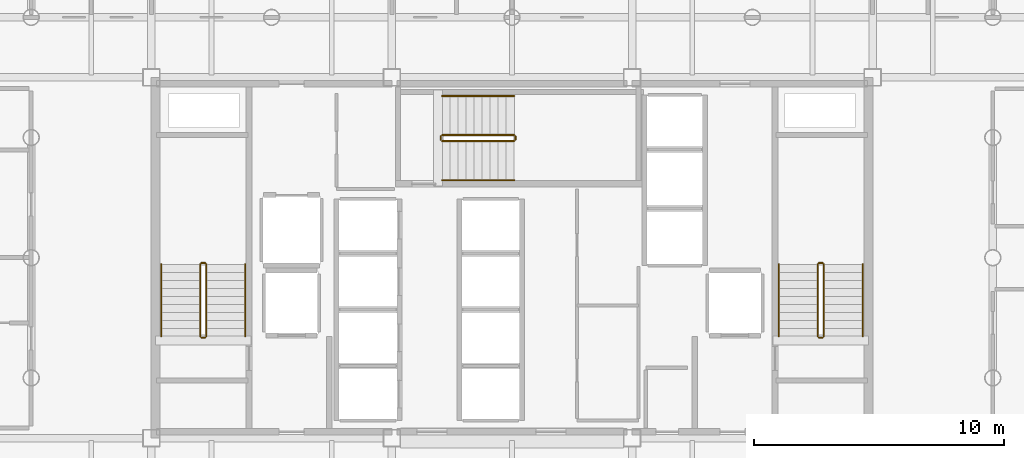
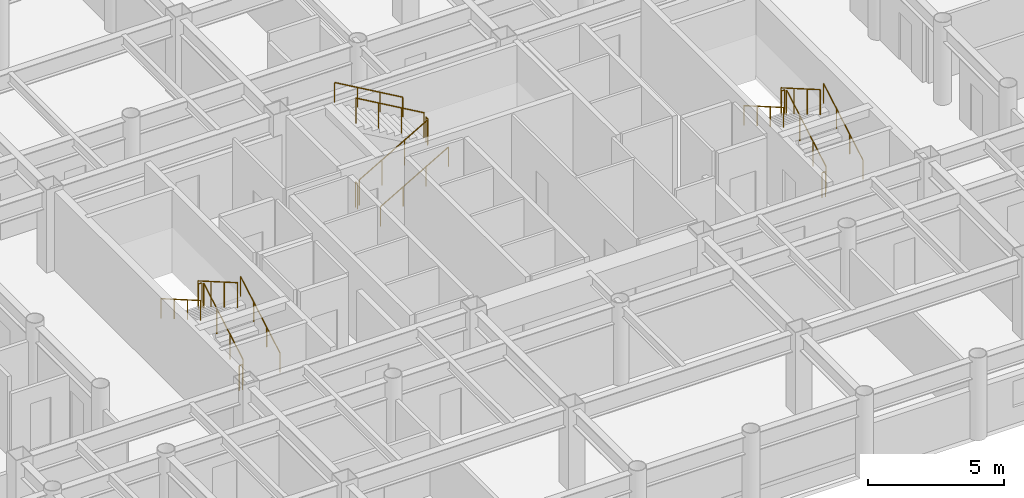
# One storey, part 20 of 20: 18 railings.
"""IFC4 building model written with IfcOpenShell, lengths in metres."""

from ifc_helpers import new_model, si_unit, direction, frame, origin, origin_2d, place, context, subcontext, project, spatial, circle, extrude, material, layer, layer_set, type_object, element, save


model = new_model("IFC4")

# Units and contexts
model_context = context("Model", 3, precision=1e-05, world=origin(), true_north=direction((0.0, 1.0)))
body_context = subcontext(model_context, "Body", "Model", "MODEL_VIEW")
ifc_project = project(units=[si_unit("LENGTHUNIT", "METRE"), si_unit("AREAUNIT", "SQUARE_METRE"), si_unit("VOLUMEUNIT", "CUBIC_METRE"), si_unit("PLANEANGLEUNIT", "RADIAN"), si_unit("MASSUNIT", "GRAM", prefix="KILO")], contexts=[model_context])

# Site, building, storey
site_placement = place(None, origin())
site = spatial("IfcSite", under=ifc_project, at=site_placement, CompositionType="ELEMENT")
building_placement = place(site_placement, origin())
building = spatial("IfcBuilding", under=site, at=building_placement, Name="Kallvorn Hotel Tower", CompositionType="ELEMENT")
storey_placement = place(building_placement, frame((0.0, 0.0, 98.89990234375)))
storey = spatial("IfcBuildingStorey", under=building, at=storey_placement, Name="L23", CompositionType="ELEMENT", Elevation=98.89990234375)

# Railings
ifc_material_1 = material(Name="Brushed stainless-steel tubular railing", Category="steel")
ifc_layer_1 = layer(ifc_material_1, 0.050048828125)
ifc_layer_set_1 = layer_set([ifc_layer_1], Name="RL_STAIR_GUARD")
railing_type_1 = type_object("IfcRailingType", Name="RL_STAIR_GUARD", PredefinedType="GUARDRAIL", material=ifc_layer_set_1)
railing_1_placement = place(storey_placement, frame((-12.2099609375, -3.139892578125, 0.18505859375)))
element("IfcRailing", 1, at=railing_1_placement, inside=storey, type_object=railing_type_1, Name="L23 ST1 stair guard 1", PredefinedType="GUARDRAIL", context=body_context, shape_type="SweptSolid", body=[
    extrude(circle(Radius=0.02392578125, at=origin_2d()), frame((0.0, 0.0, 1.1259765625), z_axis=(0.0, 0.865720918037, 0.500527014328), x_axis=(-1.0, 0.0, 0.0)), (0.0, 0.0, 1.0), 3.32666015625),
    extrude(circle(Radius=0.02099609375, at=origin_2d()), origin(), (0.0, 0.0, 1.0), 1.101806640625),
    extrude(circle(Radius=0.02099609375, at=origin_2d()), frame((0.0, 0.9599609375, 0.554931640625)), (0.0, 0.0, 1.0), 1.101806640625),
    extrude(circle(Radius=0.02099609375, at=origin_2d()), frame((0.0, 1.919921875, 1.110107421875)), (0.0, 0.0, 1.0), 1.101806640625),
    extrude(circle(Radius=0.02099609375, at=origin_2d()), frame((0.0, 2.8798828125, 1.6650390625)), (0.0, 0.0, 1.0), 1.101806640625),
])
railing_2_placement = place(storey_placement, frame((-12.260009765625, -0.2099609375, 1.85009765625)))
element("IfcRailing", 2, at=railing_2_placement, inside=storey, type_object=railing_type_1, Name="L23 ST1 stair guard 2", PredefinedType="GUARDRAIL", context=body_context, shape_type="SweptSolid", body=[
    extrude(circle(Radius=0.02392578125, at=origin_2d()), frame((0.0, 0.0, 1.1259765625), z_axis=(-1.0, 0.0, 0.0), x_axis=(0.0, -1.0, 0.0)), (0.0, 0.0, 1.0), 0.139892578125),
    extrude(circle(Radius=0.02099609375, at=origin_2d()), origin(), (0.0, 0.0, 1.0), 1.101806640625),
    extrude(circle(Radius=0.02099609375, at=origin_2d()), frame((-0.139892578125, 0.0, 0.0)), (0.0, 0.0, 1.0), 1.101806640625),
])
railing_3_placement = place(storey_placement, frame((-12.449951171875, -0.260009765625, 2.03515625)))
element("IfcRailing", 3, at=railing_3_placement, inside=storey, type_object=railing_type_1, Name="L23 ST1 stair guard 3", PredefinedType="GUARDRAIL", context=body_context, shape_type="SweptSolid", body=[
    extrude(circle(Radius=0.02392578125, at=origin_2d()), frame((0.0, 0.0, 1.1259765625), z_axis=(0.0, -0.865720918037, 0.500527014328), x_axis=(1.0, 0.0, 0.0)), (0.0, 0.0, 1.0), 3.32666015625),
    extrude(circle(Radius=0.02099609375, at=origin_2d()), origin(), (0.0, 0.0, 1.0), 1.101806640625),
    extrude(circle(Radius=0.02099609375, at=origin_2d()), frame((0.0, -0.9599609375, 0.554931640625)), (0.0, 0.0, 1.0), 1.101806640625),
    extrude(circle(Radius=0.02099609375, at=origin_2d()), frame((0.0, -1.919921875, 1.110107421875)), (0.0, 0.0, 1.0), 1.101806640625),
    extrude(circle(Radius=0.02099609375, at=origin_2d()), frame((0.0, -2.8798828125, 1.6650390625)), (0.0, 0.0, 1.0), 1.101806640625),
])
railing_4_placement = place(storey_placement, frame((-12.260009765625, -3.18994140625, 0.0)))
element("IfcRailing", 4, at=railing_4_placement, inside=storey, type_object=railing_type_1, Name="L23 ST1 stair guard 4", PredefinedType="GUARDRAIL", context=body_context, shape_type="SweptSolid", body=[
    extrude(circle(Radius=0.02392578125, at=origin_2d()), frame((0.0, 0.0, 1.1259765625), z_axis=(-1.0, 0.0, 0.0), x_axis=(0.0, -1.0, 0.0)), (0.0, 0.0, 1.0), 0.139892578125),
    extrude(circle(Radius=0.02099609375, at=origin_2d()), origin(), (0.0, 0.0, 1.0), 1.101806640625),
    extrude(circle(Radius=0.02099609375, at=origin_2d()), frame((-0.139892578125, 0.0, 0.0)), (0.0, 0.0, 1.0), 1.101806640625),
])
railing_5_placement = place(storey_placement, frame((12.449951171875, -3.139892578125, 0.18505859375)))
element("IfcRailing", 5, at=railing_5_placement, inside=storey, type_object=railing_type_1, Name="L23 ST2 stair guard 1", PredefinedType="GUARDRAIL", context=body_context, shape_type="SweptSolid", body=[
    extrude(circle(Radius=0.02392578125, at=origin_2d()), frame((0.0, 0.0, 1.1259765625), z_axis=(0.0, 0.865720918037, 0.500527014328), x_axis=(-1.0, 0.0, 0.0)), (0.0, 0.0, 1.0), 3.32666015625),
    extrude(circle(Radius=0.02099609375, at=origin_2d()), origin(), (0.0, 0.0, 1.0), 1.101806640625),
    extrude(circle(Radius=0.02099609375, at=origin_2d()), frame((0.0, 0.9599609375, 0.554931640625)), (0.0, 0.0, 1.0), 1.101806640625),
    extrude(circle(Radius=0.02099609375, at=origin_2d()), frame((0.0, 1.919921875, 1.110107421875)), (0.0, 0.0, 1.0), 1.101806640625),
    extrude(circle(Radius=0.02099609375, at=origin_2d()), frame((0.0, 2.8798828125, 1.6650390625)), (0.0, 0.0, 1.0), 1.101806640625),
])
railing_6_placement = place(storey_placement, frame((12.39990234375, -0.2099609375, 1.85009765625)))
element("IfcRailing", 6, at=railing_6_placement, inside=storey, type_object=railing_type_1, Name="L23 ST2 stair guard 2", PredefinedType="GUARDRAIL", context=body_context, shape_type="SweptSolid", body=[
    extrude(circle(Radius=0.02392578125, at=origin_2d()), frame((0.0, 0.0, 1.1259765625), z_axis=(-1.0, 0.0, 0.0), x_axis=(0.0, -1.0, 0.0)), (0.0, 0.0, 1.0), 0.139892578125),
    extrude(circle(Radius=0.02099609375, at=origin_2d()), origin(), (0.0, 0.0, 1.0), 1.101806640625),
    extrude(circle(Radius=0.02099609375, at=origin_2d()), frame((-0.139892578125, 0.0, 0.0)), (0.0, 0.0, 1.0), 1.101806640625),
])
railing_7_placement = place(storey_placement, frame((12.2099609375, -0.260009765625, 2.03515625)))
element("IfcRailing", 7, at=railing_7_placement, inside=storey, type_object=railing_type_1, Name="L23 ST2 stair guard 3", PredefinedType="GUARDRAIL", context=body_context, shape_type="SweptSolid", body=[
    extrude(circle(Radius=0.02392578125, at=origin_2d()), frame((0.0, 0.0, 1.1259765625), z_axis=(0.0, -0.865720918037, 0.500527014328), x_axis=(1.0, 0.0, 0.0)), (0.0, 0.0, 1.0), 3.32666015625),
    extrude(circle(Radius=0.02099609375, at=origin_2d()), origin(), (0.0, 0.0, 1.0), 1.101806640625),
    extrude(circle(Radius=0.02099609375, at=origin_2d()), frame((0.0, -0.9599609375, 0.554931640625)), (0.0, 0.0, 1.0), 1.101806640625),
    extrude(circle(Radius=0.02099609375, at=origin_2d()), frame((0.0, -1.919921875, 1.110107421875)), (0.0, 0.0, 1.0), 1.101806640625),
    extrude(circle(Radius=0.02099609375, at=origin_2d()), frame((0.0, -2.8798828125, 1.6650390625)), (0.0, 0.0, 1.0), 1.101806640625),
])
railing_8_placement = place(storey_placement, frame((12.39990234375, -3.18994140625, 0.0)))
element("IfcRailing", 8, at=railing_8_placement, inside=storey, type_object=railing_type_1, Name="L23 ST2 stair guard 4", PredefinedType="GUARDRAIL", context=body_context, shape_type="SweptSolid", body=[
    extrude(circle(Radius=0.02392578125, at=origin_2d()), frame((0.0, 0.0, 1.1259765625), z_axis=(-1.0, 0.0, 0.0), x_axis=(0.0, -1.0, 0.0)), (0.0, 0.0, 1.0), 0.139892578125),
    extrude(circle(Radius=0.02099609375, at=origin_2d()), origin(), (0.0, 0.0, 1.0), 1.101806640625),
    extrude(circle(Radius=0.02099609375, at=origin_2d()), frame((-0.139892578125, 0.0, 0.0)), (0.0, 0.0, 1.0), 1.101806640625),
])
railing_9_placement = place(storey_placement, frame((-2.7900390625, 4.659912109375, 0.18505859375)))
element("IfcRailing", 9, at=railing_9_placement, inside=storey, type_object=railing_type_1, Name="L23 ST3 stair guard 1", PredefinedType="GUARDRAIL", context=body_context, shape_type="SweptSolid", body=[
    extrude(circle(Radius=0.02392578125, at=origin_2d()), frame((0.0, 0.0, 1.1259765625), z_axis=(0.865739302748, 0.0, 0.50049521444), x_axis=(0.0, 1.0, 0.0)), (0.0, 0.0, 1.0), 3.326904296875),
    extrude(circle(Radius=0.02099609375, at=origin_2d()), origin(), (0.0, 0.0, 1.0), 1.101806640625),
    extrude(circle(Radius=0.02099609375, at=origin_2d()), frame((0.9599609375, 0.0, 0.554931640625)), (0.0, 0.0, 1.0), 1.101806640625),
    extrude(circle(Radius=0.02099609375, at=origin_2d()), frame((1.920166015625, 0.0, 1.110107421875)), (0.0, 0.0, 1.0), 1.101806640625),
    extrude(circle(Radius=0.02099609375, at=origin_2d()), frame((2.880126953125, 0.0, 1.6650390625)), (0.0, 0.0, 1.0), 1.101806640625),
])
railing_10_placement = place(storey_placement, frame((0.139892578125, 4.7099609375, 1.85009765625)))
element("IfcRailing", 10, at=railing_10_placement, inside=storey, type_object=railing_type_1, Name="L23 ST3 stair guard 2", PredefinedType="GUARDRAIL", context=body_context, shape_type="SweptSolid", body=[
    extrude(circle(Radius=0.02392578125, at=origin_2d()), frame((0.0, 0.0, 1.1259765625), z_axis=(0.0, 1.0, 0.0), x_axis=(-1.0, 0.0, 0.0)), (0.0, 0.0, 1.0), 0.14013671875),
    extrude(circle(Radius=0.02099609375, at=origin_2d()), origin(), (0.0, 0.0, 1.0), 1.101806640625),
    extrude(circle(Radius=0.02099609375, at=origin_2d()), frame((0.0, 0.14013671875, 0.0)), (0.0, 0.0, 1.0), 1.101806640625),
])
railing_11_placement = place(storey_placement, frame((0.090087890625, 4.89990234375, 2.03515625)))
element("IfcRailing", 11, at=railing_11_placement, inside=storey, type_object=railing_type_1, Name="L23 ST3 stair guard 3", PredefinedType="GUARDRAIL", context=body_context, shape_type="SweptSolid", body=[
    extrude(circle(Radius=0.02392578125, at=origin_2d()), frame((0.0, 0.0, 1.1259765625), z_axis=(-0.865739302748, 0.0, 0.50049521444), x_axis=(0.0, -1.0, 0.0)), (0.0, 0.0, 1.0), 3.326904296875),
    extrude(circle(Radius=0.02099609375, at=origin_2d()), origin(), (0.0, 0.0, 1.0), 1.101806640625),
    extrude(circle(Radius=0.02099609375, at=origin_2d()), frame((-0.9599609375, 0.0, 0.554931640625)), (0.0, 0.0, 1.0), 1.101806640625),
    extrude(circle(Radius=0.02099609375, at=origin_2d()), frame((-1.920166015625, 0.0, 1.110107421875)), (0.0, 0.0, 1.0), 1.101806640625),
    extrude(circle(Radius=0.02099609375, at=origin_2d()), frame((-2.880126953125, 0.0, 1.6650390625)), (0.0, 0.0, 1.0), 1.101806640625),
])
railing_12_placement = place(storey_placement, frame((-2.840087890625, 4.7099609375, 0.0)))
element("IfcRailing", 12, at=railing_12_placement, inside=storey, type_object=railing_type_1, Name="L23 ST3 stair guard 4", PredefinedType="GUARDRAIL", context=body_context, shape_type="SweptSolid", body=[
    extrude(circle(Radius=0.02392578125, at=origin_2d()), frame((0.0, 0.0, 1.1259765625), z_axis=(0.0, 1.0, 0.0), x_axis=(-1.0, 0.0, 0.0)), (0.0, 0.0, 1.0), 0.14013671875),
    extrude(circle(Radius=0.02099609375, at=origin_2d()), origin(), (0.0, 0.0, 1.0), 1.101806640625),
    extrude(circle(Radius=0.02099609375, at=origin_2d()), frame((0.0, 0.14013671875, 0.0)), (0.0, 0.0, 1.0), 1.101806640625),
])
ifc_material_2 = material(Name="Brushed stainless-steel tubular railing", Category="steel")
ifc_layer_2 = layer(ifc_material_2, 0.050048828125)
ifc_layer_set_2 = layer_set([ifc_layer_2], Name="RL_STAIR_HAND")
railing_type_2 = type_object("IfcRailingType", Name="RL_STAIR_HAND", PredefinedType="HANDRAIL", material=ifc_layer_set_2)
railing_13_placement = place(storey_placement, frame((-10.64990234375, -3.139892578125, 0.18505859375)))
element("IfcRailing", 13, at=railing_13_placement, inside=storey, type_object=railing_type_2, Name="L23 ST1 stair handrail 1", PredefinedType="HANDRAIL", context=body_context, shape_type="SweptSolid", body=[
    extrude(circle(Radius=0.02392578125, at=origin_2d()), frame((0.0, 0.0, 0.8759765625), z_axis=(0.0, 0.865720918037, 0.500527014328), x_axis=(-1.0, 0.0, 0.0)), (0.0, 0.0, 1.0), 3.32666015625),
    extrude(circle(Radius=0.02099609375, at=origin_2d()), origin(), (0.0, 0.0, 1.0), 0.851806640625),
    extrude(circle(Radius=0.02099609375, at=origin_2d()), frame((0.0, 0.9599609375, 0.554931640625)), (0.0, 0.0, 1.0), 0.851806640625),
    extrude(circle(Radius=0.02099609375, at=origin_2d()), frame((0.0, 1.919921875, 1.110107421875)), (0.0, 0.0, 1.0), 0.851806640625),
    extrude(circle(Radius=0.02099609375, at=origin_2d()), frame((0.0, 2.8798828125, 1.6650390625)), (0.0, 0.0, 1.0), 0.851806640625),
])
railing_14_placement = place(storey_placement, frame((-14.010009765625, -0.260009765625, 2.03515625)))
element("IfcRailing", 14, at=railing_14_placement, inside=storey, type_object=railing_type_2, Name="L23 ST1 stair handrail 2", PredefinedType="HANDRAIL", context=body_context, shape_type="SweptSolid", body=[
    extrude(circle(Radius=0.02392578125, at=origin_2d()), frame((0.0, 0.0, 0.8759765625), z_axis=(0.0, -0.865720918037, 0.500527014328), x_axis=(1.0, 0.0, 0.0)), (0.0, 0.0, 1.0), 3.32666015625),
    extrude(circle(Radius=0.02099609375, at=origin_2d()), origin(), (0.0, 0.0, 1.0), 0.851806640625),
    extrude(circle(Radius=0.02099609375, at=origin_2d()), frame((0.0, -0.9599609375, 0.554931640625)), (0.0, 0.0, 1.0), 0.851806640625),
    extrude(circle(Radius=0.02099609375, at=origin_2d()), frame((0.0, -1.919921875, 1.110107421875)), (0.0, 0.0, 1.0), 0.851806640625),
    extrude(circle(Radius=0.02099609375, at=origin_2d()), frame((0.0, -2.8798828125, 1.6650390625)), (0.0, 0.0, 1.0), 0.851806640625),
])
railing_15_placement = place(storey_placement, frame((14.010009765625, -3.139892578125, 0.18505859375)))
element("IfcRailing", 15, at=railing_15_placement, inside=storey, type_object=railing_type_2, Name="L23 ST2 stair handrail 1", PredefinedType="HANDRAIL", context=body_context, shape_type="SweptSolid", body=[
    extrude(circle(Radius=0.02392578125, at=origin_2d()), frame((0.0, 0.0, 0.8759765625), z_axis=(0.0, 0.865720918037, 0.500527014328), x_axis=(-1.0, 0.0, 0.0)), (0.0, 0.0, 1.0), 3.32666015625),
    extrude(circle(Radius=0.02099609375, at=origin_2d()), origin(), (0.0, 0.0, 1.0), 0.851806640625),
    extrude(circle(Radius=0.02099609375, at=origin_2d()), frame((0.0, 0.9599609375, 0.554931640625)), (0.0, 0.0, 1.0), 0.851806640625),
    extrude(circle(Radius=0.02099609375, at=origin_2d()), frame((0.0, 1.919921875, 1.110107421875)), (0.0, 0.0, 1.0), 0.851806640625),
    extrude(circle(Radius=0.02099609375, at=origin_2d()), frame((0.0, 2.8798828125, 1.6650390625)), (0.0, 0.0, 1.0), 0.851806640625),
])
railing_16_placement = place(storey_placement, frame((10.64990234375, -0.260009765625, 2.03515625)))
element("IfcRailing", 16, at=railing_16_placement, inside=storey, type_object=railing_type_2, Name="L23 ST2 stair handrail 2", PredefinedType="HANDRAIL", context=body_context, shape_type="SweptSolid", body=[
    extrude(circle(Radius=0.02392578125, at=origin_2d()), frame((0.0, 0.0, 0.8759765625), z_axis=(0.0, -0.865720918037, 0.500527014328), x_axis=(1.0, 0.0, 0.0)), (0.0, 0.0, 1.0), 3.32666015625),
    extrude(circle(Radius=0.02099609375, at=origin_2d()), origin(), (0.0, 0.0, 1.0), 0.851806640625),
    extrude(circle(Radius=0.02099609375, at=origin_2d()), frame((0.0, -0.9599609375, 0.554931640625)), (0.0, 0.0, 1.0), 0.851806640625),
    extrude(circle(Radius=0.02099609375, at=origin_2d()), frame((0.0, -1.919921875, 1.110107421875)), (0.0, 0.0, 1.0), 0.851806640625),
    extrude(circle(Radius=0.02099609375, at=origin_2d()), frame((0.0, -2.8798828125, 1.6650390625)), (0.0, 0.0, 1.0), 0.851806640625),
])
railing_17_placement = place(storey_placement, frame((-2.7900390625, 3.10009765625, 0.18505859375)))
element("IfcRailing", 17, at=railing_17_placement, inside=storey, type_object=railing_type_2, Name="L23 ST3 stair handrail 1", PredefinedType="HANDRAIL", context=body_context, shape_type="SweptSolid", body=[
    extrude(circle(Radius=0.02392578125, at=origin_2d()), frame((0.0, 0.0, 0.8759765625), z_axis=(0.865739302748, 0.0, 0.50049521444), x_axis=(0.0, 1.0, 0.0)), (0.0, 0.0, 1.0), 3.326904296875),
    extrude(circle(Radius=0.02099609375, at=origin_2d()), origin(), (0.0, 0.0, 1.0), 0.851806640625),
    extrude(circle(Radius=0.02099609375, at=origin_2d()), frame((0.9599609375, 0.0, 0.554931640625)), (0.0, 0.0, 1.0), 0.851806640625),
    extrude(circle(Radius=0.02099609375, at=origin_2d()), frame((1.920166015625, 0.0, 1.110107421875)), (0.0, 0.0, 1.0), 0.851806640625),
    extrude(circle(Radius=0.02099609375, at=origin_2d()), frame((2.880126953125, 0.0, 1.6650390625)), (0.0, 0.0, 1.0), 0.851806640625),
])
railing_18_placement = place(storey_placement, frame((0.090087890625, 6.4599609375, 2.03515625)))
element("IfcRailing", 18, at=railing_18_placement, inside=storey, type_object=railing_type_2, Name="L23 ST3 stair handrail 2", PredefinedType="HANDRAIL", context=body_context, shape_type="SweptSolid", body=[
    extrude(circle(Radius=0.02392578125, at=origin_2d()), frame((0.0, 0.0, 0.8759765625), z_axis=(-0.865739302748, 0.0, 0.50049521444), x_axis=(0.0, -1.0, 0.0)), (0.0, 0.0, 1.0), 3.326904296875),
    extrude(circle(Radius=0.02099609375, at=origin_2d()), origin(), (0.0, 0.0, 1.0), 0.851806640625),
    extrude(circle(Radius=0.02099609375, at=origin_2d()), frame((-0.9599609375, 0.0, 0.554931640625)), (0.0, 0.0, 1.0), 0.851806640625),
    extrude(circle(Radius=0.02099609375, at=origin_2d()), frame((-1.920166015625, 0.0, 1.110107421875)), (0.0, 0.0, 1.0), 0.851806640625),
    extrude(circle(Radius=0.02099609375, at=origin_2d()), frame((-2.880126953125, 0.0, 1.6650390625)), (0.0, 0.0, 1.0), 0.851806640625),
])

save(model, "model.ifc")
